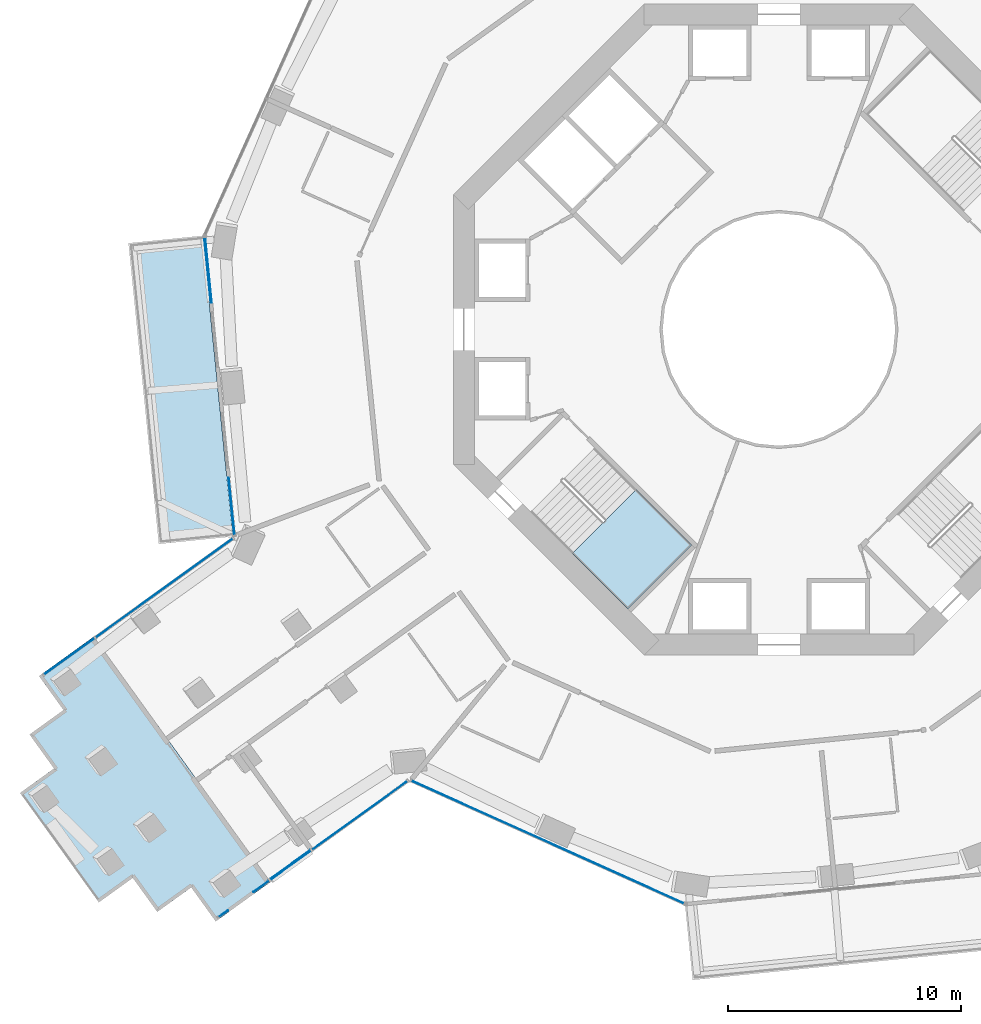
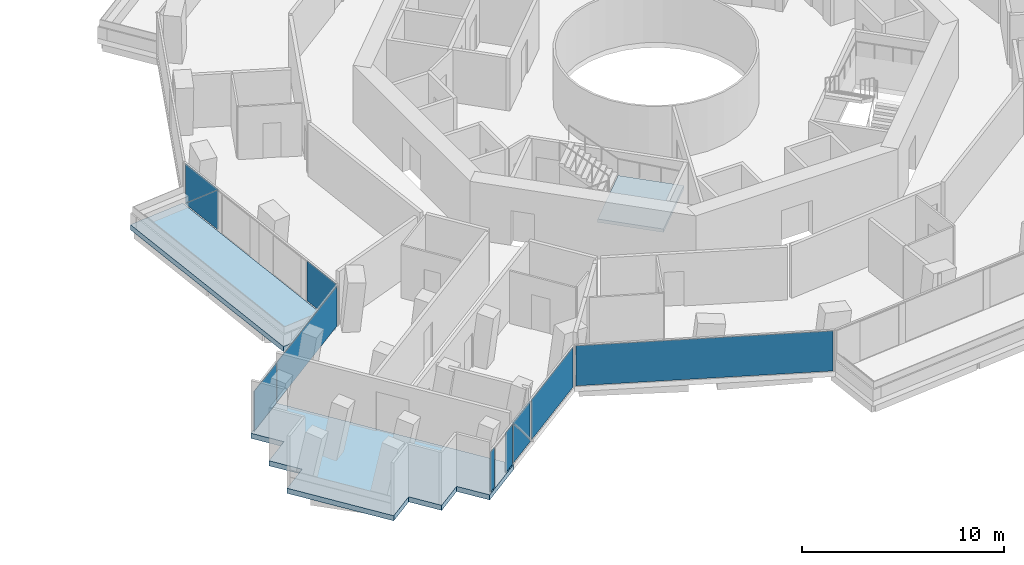
# One storey, part 13 of 26: 11 plates, 3 slabs, 5 elements without a shape of their own.
"""IFC4 building model written with IfcOpenShell, lengths in metres."""

from ifc_helpers import new_model, si_unit, direction, frame, origin, origin_2d, place, context, subcontext, project, spatial, polyline, rectangle, outline, extrude, material, layer, layer_set, type_object, element, aggregate, save


model = new_model("IFC4")

# Units and contexts
model_context = context("Model", 3, precision=1e-05, world=origin(), true_north=direction((0.0, 1.0)))
body_context = subcontext(model_context, "Body", "Model", "MODEL_VIEW")
ifc_project = project(units=[si_unit("LENGTHUNIT", "METRE"), si_unit("AREAUNIT", "SQUARE_METRE"), si_unit("VOLUMEUNIT", "CUBIC_METRE"), si_unit("PLANEANGLEUNIT", "RADIAN"), si_unit("MASSUNIT", "GRAM", prefix="KILO")], contexts=[model_context])

# Site, building, storey
site_placement = place(None, origin())
site = spatial("IfcSite", under=ifc_project, at=site_placement, CompositionType="ELEMENT")
building_placement = place(site_placement, origin())
building = spatial("IfcBuilding", under=site, at=building_placement, Name="Verdalira Terraces Hotel", CompositionType="ELEMENT")
storey_placement = place(building_placement, frame((0.0, 0.0, 56.5)))
storey = spatial("IfcBuildingStorey", under=building, at=storey_placement, Name="L12", CompositionType="ELEMENT", Elevation=56.5)

# Slab
ifc_material_1 = material(Name="Precast concrete C40/50", Category="concrete")
ifc_layer_1 = layer(ifc_material_1, 0.31005859375)
ifc_layer_set_1 = layer_set([ifc_layer_1], Name="Balcony deck 310")
slab_type_1 = type_object("IfcSlabType", Name="Balcony deck 310", PredefinedType="FLOOR", material=ifc_layer_set_1)
slab_1_placement = place(storey_placement, frame((0.0, 0.0, -0.310059)))
element("IfcSlab", 1, at=slab_1_placement, inside=storey, type_object=slab_type_1, Name="Balcony deck", PredefinedType="FLOOR", context=body_context, shape_type="SweptSolid", body=[
    extrude(outline(polyline([(-26.667236, -9.2229), (-23.483398, -8.901855), (-24.788086, 4.032471), (-27.971924, 3.711426), (-26.667236, -9.2229)])), origin(), (0.0, 0.0, 1.0), 0.310059),
])

# Curtain wall, plates
ifc_material_2 = material(Name="Clear glass", Category="glass")
ifc_layer_2 = layer(ifc_material_2, 0.14990234375)
ifc_layer_set_2 = layer_set([ifc_layer_2], Name="CW1 curtain wall")
curtain_wall_type_1 = type_object("IfcCurtainWallType", Name="CW1 curtain wall", PredefinedType="NOTDEFINED", material=ifc_layer_set_2)
curtain_wall_1_placement = place(storey_placement, origin())
curtain_wall_1 = element("IfcCurtainWall", 2, at=curtain_wall_1_placement, inside=storey, type_object=curtain_wall_type_1, Name="CW1 curtain wall L12 edge 13", PredefinedType="NOTDEFINED")
ifc_material_3 = material(Name="Clear glass", Category="glass")
ifc_layer_3 = layer(ifc_material_3, 0.028076171875)
ifc_layer_set_3 = layer_set([ifc_layer_3], Name="CW1 glass unit 28")
plate_type_1 = type_object("IfcPlateType", Name="CW1 glass unit 28", PredefinedType="CURTAIN_PANEL", material=ifc_layer_set_3)
plate_1_placement = place(storey_placement, frame((-24.549072, 2.549072, 1.212402), z_axis=(-0.994951017, -0.100361715, 0.0), x_axis=(0.100361715, -0.994951017, 0.0)))
plate_1 = element("IfcPlate", 3, at=plate_1_placement, type_object=plate_type_1, Name="CW1 glass unit", PredefinedType="CURTAIN_PANEL", context=body_context, shape_type="SweptSolid", body=[
    extrude(outline(polyline([(-1.399902, -1.212402), (1.399902, -1.212402), (1.399902, 1.212402), (-1.399902, -1.212402)])), origin(), (0.0, 0.0, 1.0), 0.028076),
])
plate_2_placement = place(storey_placement, frame((-24.52002, 2.552002, 1.212402), z_axis=(-0.994951017, -0.100361715, 0.0), x_axis=(0.100361715, -0.994951017, 0.0)))
plate_2 = element("IfcPlate", 4, at=plate_2_placement, type_object=plate_type_1, Name="CW1 glass unit", PredefinedType="CURTAIN_PANEL", context=body_context, shape_type="SweptSolid", body=[
    extrude(outline(polyline([(-1.399902, -1.212402), (1.399902, 1.212402), (-1.399902, 1.212402), (-1.399902, -1.212402)])), origin(), (0.0, 0.0, 1.0), 0.028076),
])
plate_3_placement = place(storey_placement, frame((-23.539307, -7.601074, 0.0), z_axis=(0.0, 0.0, 1.0), x_axis=(0.100361715, -0.994951017, 0.0)))
plate_3 = element("IfcPlate", 5, at=plate_3_placement, type_object=plate_type_1, Name="CW1 glass unit", PredefinedType="CURTAIN_PANEL", context=body_context, shape_type="SweptSolid", body=[
    extrude(rectangle(XDim=2.479492, YDim=0.028076, at=origin_2d()), origin(), (0.0, 0.0, 1.0), 2.425049),
])
aggregate(curtain_wall_1, [plate_1, plate_2, plate_3])

# Curtain wall, plate
curtain_wall_2_placement = place(storey_placement, origin())
curtain_wall_2 = element("IfcCurtainWall", 6, at=curtain_wall_2_placement, inside=storey, type_object=curtain_wall_type_1, Name="CW1 curtain wall L12 edge 25", PredefinedType="NOTDEFINED")
plate_4_placement = place(storey_placement, frame((-9.947021, -22.042969, 0.0), z_axis=(0.0, 0.0, 1.0), x_axis=(0.911833714, -0.410559714, 0.0)))
plate_4 = element("IfcPlate", 7, at=plate_4_placement, type_object=plate_type_1, Name="CW1 glass unit", PredefinedType="CURTAIN_PANEL", context=body_context, shape_type="SweptSolid", body=[
    extrude(rectangle(XDim=12.839844, YDim=0.028076, at=origin_2d()), origin(), (0.0, 0.0, 1.0), 2.425049),
])
aggregate(curtain_wall_2, [plate_4])

# Curtain wall, plates
ifc_material_4 = material(Name="Clear glass", Category="glass")
ifc_layer_4 = layer(ifc_material_4, 0.14990234375)
ifc_layer_set_4 = layer_set([ifc_layer_4], Name="CW2 curtain wall")
curtain_wall_type_2 = type_object("IfcCurtainWallType", Name="CW2 curtain wall", PredefinedType="NOTDEFINED", material=ifc_layer_set_4)
curtain_wall_3_placement = place(storey_placement, origin())
curtain_wall_3 = element("IfcCurtainWall", 8, at=curtain_wall_3_placement, inside=storey, type_object=curtain_wall_type_2, Name="CW2 curtain wall L12 edge 14", PredefinedType="NOTDEFINED")
ifc_material_5 = material(Name="Clear glass", Category="glass")
ifc_layer_5 = layer(ifc_material_5, 0.031982421875)
ifc_layer_set_5 = layer_set([ifc_layer_5], Name="CW2 glass unit 32")
plate_type_2 = type_object("IfcPlateType", Name="CW2 glass unit 32", PredefinedType="CURTAIN_PANEL", material=ifc_layer_set_5)
plate_5_placement = place(storey_placement, frame((-26.436279, -11.12085, 0.0), z_axis=(0.0, 0.0, 1.0), x_axis=(-0.811471999, -0.584391303, 0.0)))
plate_5 = element("IfcPlate", 9, at=plate_5_placement, type_object=plate_type_2, Name="CW2 glass unit", PredefinedType="CURTAIN_PANEL", context=body_context, shape_type="SweptSolid", body=[
    extrude(rectangle(XDim=7.24585, YDim=0.031982, at=origin_2d()), origin(), (0.0, 0.0, 1.0), 2.425049),
])
plate_6_placement = place(storey_placement, frame((-30.514404, -14.057617, 0.0), z_axis=(0.0, 0.0, 1.0), x_axis=(-0.811471999, -0.584391303, 0.0)))
plate_6 = element("IfcPlate", 10, at=plate_6_placement, type_object=plate_type_2, Name="CW2 glass unit", PredefinedType="CURTAIN_PANEL", context=body_context, shape_type="SweptSolid", body=[
    extrude(rectangle(XDim=2.665039, YDim=0.031982, at=origin_2d()), origin(), (0.0, 0.0, 1.0), 2.425049),
])
aggregate(curtain_wall_3, [plate_5, plate_6])

curtain_wall_4_placement = place(storey_placement, origin())
curtain_wall_4 = element("IfcCurtainWall", 11, at=curtain_wall_4_placement, inside=storey, type_object=curtain_wall_type_2, Name="CW2 curtain wall L12 edge 24", PredefinedType="NOTDEFINED")
plate_7_placement = place(storey_placement, frame((-23.891357, -25.123535, 0.0), z_axis=(0.0, 0.0, 1.0), x_axis=(0.811471999, 0.584391303, 0.0)))
plate_7 = element("IfcPlate", 12, at=plate_7_placement, type_object=plate_type_2, Name="CW2 glass unit", PredefinedType="CURTAIN_PANEL", context=body_context, shape_type="SweptSolid", body=[
    extrude(rectangle(XDim=0.47998, YDim=0.031982, at=origin_2d()), origin(), (0.0, 0.0, 1.0), 2.425049),
])
plate_8_placement = place(storey_placement, frame((-22.257324, -23.946533, 0.0), z_axis=(0.0, 0.0, 1.0), x_axis=(0.811471999, 0.584391303, 0.0)))
plate_8 = element("IfcPlate", 13, at=plate_8_placement, type_object=plate_type_2, Name="CW2 glass unit", PredefinedType="CURTAIN_PANEL", context=body_context, shape_type="SweptSolid", body=[
    extrude(rectangle(XDim=0.822266, YDim=0.031982, at=origin_2d()), origin(), (0.0, 0.0, 1.0), 2.425049),
])
plate_9_placement = place(storey_placement, frame((-21.005615, -23.025635, 1.212402), z_axis=(0.584391303, -0.811471999, 0.0), x_axis=(0.811471999, 0.584391303, 0.0)))
plate_9 = element("IfcPlate", 14, at=plate_9_placement, type_object=plate_type_2, Name="CW2 glass unit", PredefinedType="CURTAIN_PANEL", context=body_context, shape_type="SweptSolid", body=[
    extrude(outline(polyline([(-1.072754, -1.212402), (1.072754, -1.212402), (-1.072754, 1.212402), (-1.072754, -1.212402)])), origin(), (0.0, 0.0, 1.0), 0.031982),
])
plate_10_placement = place(storey_placement, frame((-21.024902, -22.998779, 1.212402), z_axis=(0.584391303, -0.811471999, 0.0), x_axis=(0.811471999, 0.584391303, 0.0)))
plate_10 = element("IfcPlate", 15, at=plate_10_placement, type_object=plate_type_2, Name="CW2 glass unit", PredefinedType="CURTAIN_PANEL", context=body_context, shape_type="SweptSolid", body=[
    extrude(outline(polyline([(1.072754, -1.212402), (1.072754, 1.212402), (-1.072754, 1.212402), (1.072754, -1.212402)])), origin(), (0.0, 0.0, 1.0), 0.031982),
])
plate_11_placement = place(storey_placement, frame((-18.028076, -20.900879, 0.0), z_axis=(0.0, 0.0, 1.0), x_axis=(0.811471999, 0.584391303, 0.0)))
plate_11 = element("IfcPlate", 16, at=plate_11_placement, type_object=plate_type_2, Name="CW2 glass unit", PredefinedType="CURTAIN_PANEL", context=body_context, shape_type="SweptSolid", body=[
    extrude(rectangle(XDim=5.030518, YDim=0.031982, at=origin_2d()), origin(), (0.0, 0.0, 1.0), 2.425049),
])
aggregate(curtain_wall_4, [plate_7, plate_8, plate_9, plate_10, plate_11])

# Stair, slab
ifc_material_6 = material(Name="Concrete C40", Category="concrete")
stair_type = type_object("IfcStairType", Name="Core stair 20 risers 1900 mm wide", PredefinedType="HALF_TURN_STAIR", material=ifc_material_6)
stair_placement = place(storey_placement, origin())
stair = element("IfcStair", 17, at=stair_placement, inside=storey, type_object=stair_type, Name="L12 Exit stair ST2", PredefinedType="HALF_TURN_STAIR")
ifc_material_7 = material(Name="Concrete C40", Category="concrete")
ifc_layer_6 = layer(ifc_material_7, 0.199951171875)
ifc_layer_set_6 = layer_set([ifc_layer_6], Name="Core stair landing 200 mm")
slab_type_2 = type_object("IfcSlabType", Name="Core stair landing 200 mm", PredefinedType="LANDING", material=ifc_layer_set_6)
slab_2_placement = place(storey_placement, frame((0.0, 0.0, 1.550049)))
slab_2 = element("IfcSlab", 18, at=slab_2_placement, type_object=slab_type_2, Name="ST2 landing 1", PredefinedType="LANDING", context=body_context, shape_type="SweptSolid", body=[
    extrude(outline(polyline([(-8.895752, -9.630371), (-6.505371, -12.020752), (-3.747559, -9.263184), (-6.137939, -6.872803), (-8.895752, -9.630371)])), origin(), (0.0, 0.0, 1.0), 0.199951),
])
aggregate(stair, [slab_2])

# Slab
ifc_material_8 = material(Name="Concrete C40", Category="concrete")
ifc_layer_7 = layer(ifc_material_8, 0.31005859375)
ifc_layer_set_7 = layer_set([ifc_layer_7], Name="Loggia floor deck 310 C40")
slab_type_3 = type_object("IfcSlabType", Name="Loggia floor deck 310 C40", PredefinedType="FLOOR", material=ifc_layer_set_7)
slab_3_placement = place(storey_placement, frame((0.0, 0.0, -0.310059)))
element("IfcSlab", 19, at=slab_3_placement, inside=storey, type_object=slab_type_3, Name="Loggia deck L12", PredefinedType="FLOOR", context=body_context, shape_type="SweptSolid", body=[
    extrude(outline(polyline([(-24.220947, -25.453125), (-21.867676, -23.758301), (-29.4646, -13.209229), (-31.818115, -14.904053), (-30.766113, -16.364502), (-32.226807, -17.416504), (-31.174805, -18.877197), (-32.635498, -19.929199), (-29.246094, -24.635498), (-27.7854, -23.58374), (-26.733398, -25.044434), (-25.272705, -23.992432), (-24.220947, -25.453125)])), origin(), (0.0, 0.0, 1.0), 0.310059),
])

save(model, "model.ifc")
